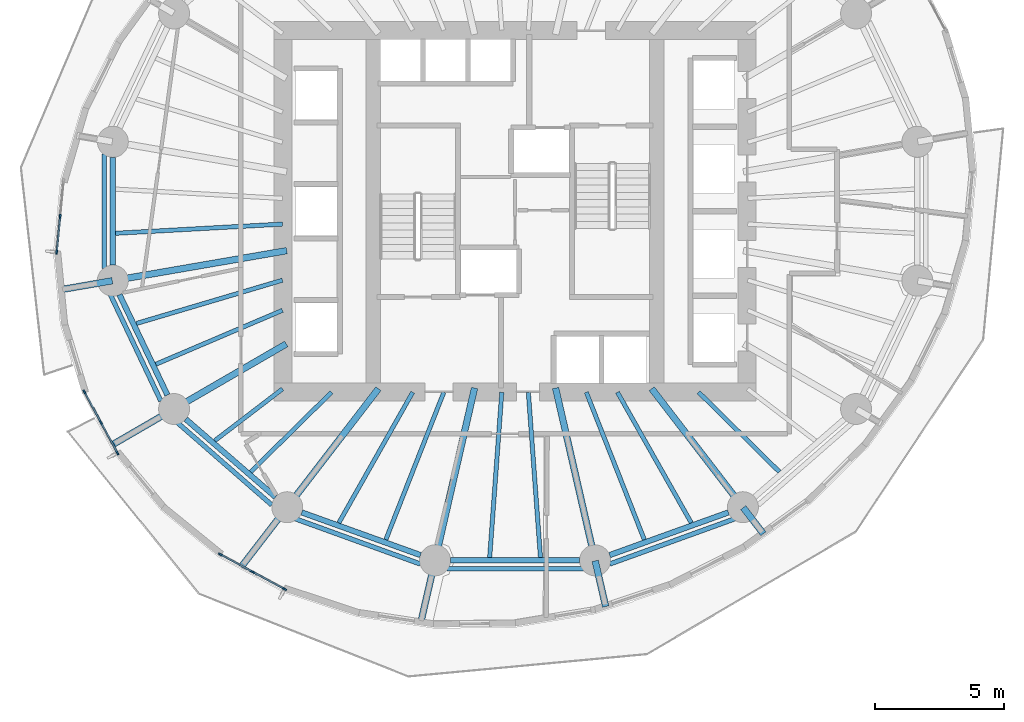
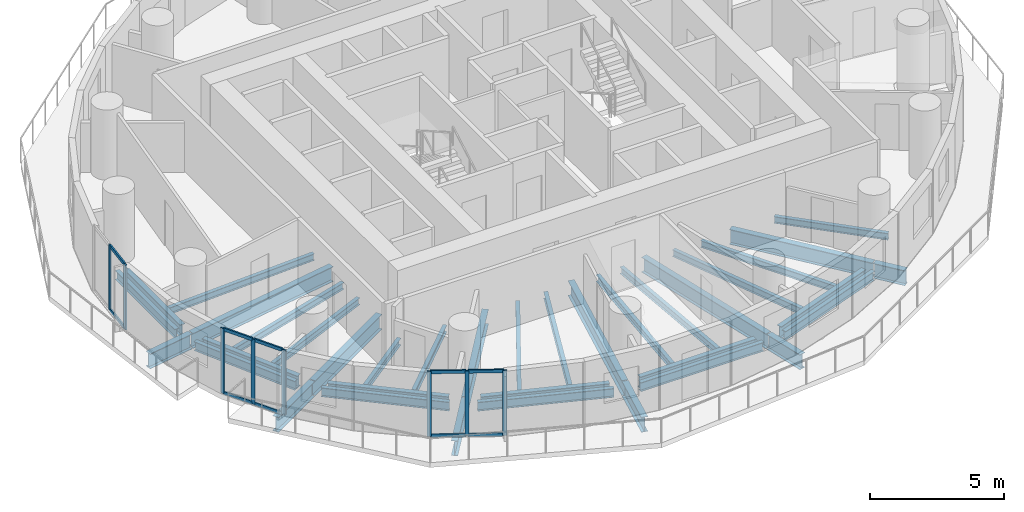
# One storey, part 2 of 14: 36 beams, 18 members, 3 elements without a shape of their own.
"""IFC4 building model written with IfcOpenShell, lengths in metres."""

import ifcopenshell
import ifcopenshell.guid

model = None  # the IFC model being written
_history = None  # IfcOwnerHistory: only IFC2X3 demands one
_inside = {}  # id of a spatial element -> (the spatial element, [elements in it])
_under = {}  # id of a project, library or spatial element -> (it, [spatial elements below it])
_declared = {}  # id of a project -> (the project, [libraries it declares])
_typed = {}  # id of a type object -> (the type object, [elements of that type])
_made_of = {}  # id of a material, layer set ... -> (it, [elements and type objects made of it])


def new_model(schema):
    """Start an empty IFC model of exactly this schema.

    Asked for "IFC4X3", IfcOpenShell would pick the latest addendum, in which some entities
    have other attributes; the version numbers below select the first issue.
    IFC2X3 requires an IfcOwnerHistory on every rooted entity: one is made here for all.
    """
    global model, _history
    if schema == "IFC4X3":
        model = ifcopenshell.file(schema_version=(4, 3, 0, 0))
    else:
        model = ifcopenshell.file(schema=schema)
    _inside.clear()
    _under.clear()
    _declared.clear()
    _typed.clear()
    _made_of.clear()
    _history = None
    if model.schema == "IFC2X3":
        org = make("IfcOrganization", Name="unknown")
        user = make(
            "IfcPersonAndOrganization",
            ThePerson=make("IfcPerson", FamilyName="unknown"),
            TheOrganization=org,
        )
        app = make(
            "IfcApplication",
            ApplicationDeveloper=org,
            Version="unknown",
            ApplicationFullName="unknown",
            ApplicationIdentifier="unknown",
        )
        _history = make(
            "IfcOwnerHistory",
            OwningUser=user,
            OwningApplication=app,
            ChangeAction="ADDED",
            CreationDate=0,
        )
    return model


def make(cls, **values):
    """One entity of the class cls with the attributes given. An attribute that is None is left unset."""
    return model.create_entity(
        cls, **{name: value for name, value in values.items() if value is not None}
    )


def rooted(cls, **values):
    """An entity with a GlobalId (a new one), such as an element, a storey or a relation."""
    return make(cls, GlobalId=ifcopenshell.guid.new(), OwnerHistory=_history, **values)


def si_unit(unit_type, name, prefix=None):
    """IfcSIUnit, for example si_unit("LENGTHUNIT", "METRE", prefix="MILLI")."""
    return make("IfcSIUnit", UnitType=unit_type, Prefix=prefix, Name=name)


def assignment(units):
    """IfcUnitAssignment: the units of a project."""
    return None if units is None else make("IfcUnitAssignment", Units=units)


def point(xyz):
    """IfcCartesianPoint."""
    return None if xyz is None else make("IfcCartesianPoint", Coordinates=xyz)


def direction(xyz):
    """IfcDirection."""
    return None if xyz is None else make("IfcDirection", DirectionRatios=xyz)


def frame(location, z_axis=None, x_axis=None):
    """IfcAxis2Placement3D, a coordinate frame: its origin and axes. An axis left out is left unset."""
    return make(
        "IfcAxis2Placement3D",
        Location=point(location),
        Axis=direction(z_axis),
        RefDirection=direction(x_axis),
    )


def frame_2d(location, x_axis=None):
    """IfcAxis2Placement2D, a coordinate frame in the plane: its origin and x axis."""
    return make(
        "IfcAxis2Placement2D", Location=point(location), RefDirection=direction(x_axis)
    )


def origin():
    """The frame at (0, 0, 0) with its axes left unset."""
    return frame((0.0, 0.0, 0.0))


def origin_2d():
    """The frame at (0, 0) in the plane with its x axis left unset."""
    return frame_2d((0.0, 0.0))


def place(relative_to, where):
    """IfcLocalPlacement: puts the frame where relative to a parent placement (None: the world)."""
    return make(
        "IfcLocalPlacement", PlacementRelTo=relative_to, RelativePlacement=where
    )


def context(
    kind, dimensions, precision=None, world=None, true_north=None, identifier=None
):
    """IfcGeometricRepresentationContext, for example the 3D "Model" context."""
    return make(
        "IfcGeometricRepresentationContext",
        ContextIdentifier=identifier,
        ContextType=kind,
        CoordinateSpaceDimension=dimensions,
        Precision=precision,
        WorldCoordinateSystem=world,
        TrueNorth=true_north,
    )


def subcontext(parent, identifier, kind, view, scale=None):
    """IfcGeometricRepresentationSubContext, for example "Body" below "Model"."""
    return make(
        "IfcGeometricRepresentationSubContext",
        ContextIdentifier=identifier,
        ContextType=kind,
        ParentContext=parent,
        TargetScale=scale,
        TargetView=view,
    )


def project(units=None, contexts=None):
    """IfcProject with its units and contexts."""
    return rooted(
        "IfcProject",
        Name="project",
        RepresentationContexts=contexts,
        UnitsInContext=assignment(units),
    )


def spatial(cls, under=None, at=None, **own):
    """A site, building, storey or space (cls), placed at a placement, below another one or the project."""
    s = rooted(cls, ObjectPlacement=at, **own)
    if under is not None:
        _under.setdefault(under.id(), (under, []))[1].append(s)
    return s


def profile(cls, at=None, kind="AREA", **sizes):
    """A parametric profile (cls). Its sizes go by their IFC names, for example OverallWidth=200.0."""
    return make(cls, ProfileType=kind, Position=at, **sizes)


def rectangle(**sizes):
    """IfcRectangleProfileDef."""
    return profile("IfcRectangleProfileDef", **sizes)


def i_section(**sizes):
    """IfcIShapeProfileDef."""
    return profile("IfcIShapeProfileDef", **sizes)


def extrude(swept, where, along, depth):
    """IfcExtrudedAreaSolid: the profile swept, set in the frame where, extruded along a direction by depth."""
    return make(
        "IfcExtrudedAreaSolid",
        SweptArea=swept,
        Position=where,
        ExtrudedDirection=direction(along),
        Depth=depth,
    )


def shape(context_of_items, identifier, shape_type, items):
    """IfcShapeRepresentation: the items that make up one representation, for example the "Body"."""
    return make(
        "IfcShapeRepresentation",
        ContextOfItems=context_of_items,
        RepresentationIdentifier=identifier,
        RepresentationType=shape_type,
        Items=items,
    )


def material(Name=None, Category=None):
    """IfcMaterial."""
    return make("IfcMaterial", Name=Name, Category=Category)


def material_profile(
    of_material, cross_section, Name=None, Category=None, Priority=None
):
    """IfcMaterialProfile: a cross section and its material."""
    return make(
        "IfcMaterialProfile",
        Name=Name,
        Material=of_material,
        Profile=cross_section,
        Priority=Priority,
        Category=Category,
    )


def profile_set(profiles, Name=None, composite=None):
    """IfcMaterialProfileSet."""
    return make(
        "IfcMaterialProfileSet",
        Name=Name,
        MaterialProfiles=profiles,
        CompositeProfile=composite,
    )


def made_of(thing, what):
    """Note that an element or type object is made of a material, layer set ...; save() writes the relation."""
    if what is not None:
        _made_of.setdefault(what.id(), (what, []))[1].append(thing)
    return thing


def type_object(cls, material=None, **own):
    """A type object (cls), such as IfcWallType, which elements share."""
    return made_of(rooted(cls, **own), material)


def element(
    cls,
    number,
    at=None,
    inside=None,
    cuts=None,
    type_object=None,
    material=None,
    context=None,
    identifier="Body",
    shape_type=None,
    held_by="IfcProductDefinitionShape",
    body=None,
    shapes=None,
    **own,
):
    """One element of the class cls, such as IfcWall. Its Tag is "e" and its number.

    at: its placement. inside: the storey or other place that contains it. cuts: it is an
    opening in that element (IfcRelVoidsElement). A single representation is given by context,
    identifier, shape_type and body (its items); several are given by shapes. held_by: the class
    of the entity that holds the representations. save() writes the other relations.
    """
    e = rooted(cls, Tag="e%d" % number, ObjectPlacement=at, **own)
    if body is not None:
        shapes = [shape(context, identifier, shape_type, body)]
    if shapes is not None:
        e.Representation = make(held_by, Representations=shapes)
    if inside is not None:
        _inside.setdefault(inside.id(), (inside, []))[1].append(e)
    if cuts is not None:
        rooted(
            "IfcRelVoidsElement", RelatingBuildingElement=cuts, RelatedOpeningElement=e
        )
    if type_object is not None:
        _typed.setdefault(type_object.id(), (type_object, []))[1].append(e)
    return made_of(e, material)


def aggregate(whole, parts):
    """IfcRelAggregates: a whole, such as a stair, and the parts it consists of."""
    return rooted("IfcRelAggregates", RelatingObject=whole, RelatedObjects=parts)


def save(model, path):
    """Write the relations noted so far, then the file.

    IfcRelAggregates (storeys below a building ...), IfcRelContainedInSpatialStructure (elements
    in a storey), IfcRelDefinesByType, IfcRelAssociatesMaterial and IfcRelDeclares: one each for
    every whole, place, type object, material and project.
    """
    for whole, parts in _under.values():
        aggregate(whole, parts)
    for where, things in _inside.values():
        rooted(
            "IfcRelContainedInSpatialStructure",
            RelatedElements=things,
            RelatingStructure=where,
        )
    for kind, things in _typed.values():
        rooted("IfcRelDefinesByType", RelatedObjects=things, RelatingType=kind)
    for what, things in _made_of.values():
        rooted("IfcRelAssociatesMaterial", RelatedObjects=things, RelatingMaterial=what)
    for by, libraries in _declared.values():
        rooted("IfcRelDeclares", RelatingContext=by, RelatedDefinitions=libraries)
    model.write(path)


model = new_model("IFC4")

# Units and contexts
model_context = context("Model", 3, precision=1e-05, world=origin(), true_north=direction((0.0, 1.0)))
body_context = subcontext(model_context, "Body", "Model", "MODEL_VIEW")
ifc_project = project(units=[si_unit("LENGTHUNIT", "METRE"), si_unit("AREAUNIT", "SQUARE_METRE"), si_unit("VOLUMEUNIT", "CUBIC_METRE"), si_unit("PLANEANGLEUNIT", "RADIAN"), si_unit("MASSUNIT", "GRAM", prefix="KILO")], contexts=[model_context])

# Site, building, storey
site_placement = place(None, origin())
site = spatial("IfcSite", under=ifc_project, at=site_placement, CompositionType="ELEMENT")
building_placement = place(site_placement, origin())
building = spatial("IfcBuilding", under=site, at=building_placement, Name="Veldorim Arch Residences", CompositionType="ELEMENT")
storey_placement = place(building_placement, frame((0.0, 0.0, 93.280029296875)))
storey = spatial("IfcBuildingStorey", under=building, at=storey_placement, Name="L27", CompositionType="ELEMENT", Elevation=93.280029296875)

# Beams
ifc_material_1 = material(Name="Steel S355", Category="steel")
ifc_material_profile_1 = material_profile(ifc_material_1, i_section(OverallWidth=0.2119140625, OverallDepth=0.54443359375, WebThickness=0.0126953125, FlangeThickness=0.021240234375, at=origin_2d()), Name="UB533x210x122")
ifc_profile_set_1 = profile_set([ifc_material_profile_1], Name="Steel S355")
beam_type_1 = type_object("IfcBeamType", Name="Structural Steel Beam UB533x210x122", PredefinedType="BEAM", material=ifc_profile_set_1)
beam_1_placement = place(storey_placement, frame((16.405517578125, 26.09228515625, -0.51220703125), z_axis=(0.0, -1.0, 0.0), x_axis=(1.0, 0.0, 0.0)))
element("IfcBeam", 1, at=beam_1_placement, inside=storey, type_object=beam_type_1, Name="L27 perimeter ring tie beam 08", PredefinedType="BEAM", context=body_context, shape_type="SweptSolid", body=[
    extrude(i_section(OverallWidth=0.2119140625, OverallDepth=0.54443359375, WebThickness=0.0126953125, FlangeThickness=0.021240234375, at=origin_2d()), origin(), (0.0, 0.0, 1.0), 4.1845703125),
])
beam_2_placement = place(storey_placement, frame((16.663818359375, 20.766357421875, -0.51220703125), z_axis=(0.430720154476, -0.902485539235, 0.0), x_axis=(0.902485539235, 0.430720154476, 0.0)))
element("IfcBeam", 2, at=beam_2_placement, inside=storey, type_object=beam_type_1, Name="L27 perimeter ring tie beam 09", PredefinedType="BEAM", context=body_context, shape_type="SweptSolid", body=[
    extrude(i_section(OverallWidth=0.2119140625, OverallDepth=0.54443359375, WebThickness=0.0126953125, FlangeThickness=0.021240234375, at=origin_2d()), origin(), (0.0, 0.0, 1.0), 4.312255859375),
])
beam_3_placement = place(storey_placement, frame((19.232666015625, 15.939697265625, -0.51220703125), z_axis=(0.755244952556, -0.655442645576, 0.0), x_axis=(0.655442645576, 0.755244952556, 0.0)))
element("IfcBeam", 3, at=beam_3_placement, inside=storey, type_object=beam_type_1, Name="L27 perimeter ring tie beam 10", PredefinedType="BEAM", context=body_context, shape_type="SweptSolid", body=[
    extrude(i_section(OverallWidth=0.2119140625, OverallDepth=0.54443359375, WebThickness=0.0126953125, FlangeThickness=0.021240234375, at=origin_2d()), origin(), (0.0, 0.0, 1.0), 4.608642578125),
])
beam_4_placement = place(storey_placement, frame((23.73095703125, 12.32275390625, -0.51220703125), z_axis=(0.941041944493, -0.338289903343, 0.0), x_axis=(0.338289903343, 0.941041944493, 0.0)))
element("IfcBeam", 4, at=beam_4_placement, inside=storey, type_object=beam_type_1, Name="L27 perimeter ring tie beam 11", PredefinedType="BEAM", context=body_context, shape_type="SweptSolid", body=[
    extrude(i_section(OverallWidth=0.2119140625, OverallDepth=0.54443359375, WebThickness=0.0126953125, FlangeThickness=0.021240234375, at=origin_2d()), origin(), (0.0, 0.0, 1.0), 4.890869140625),
])
beam_5_placement = place(storey_placement, frame((29.498046875, 10.465087890625, -0.51220703125), z_axis=(1.0, 0.0, 0.0), x_axis=(0.0, 1.0, 0.0)))
element("IfcBeam", 5, at=beam_5_placement, inside=storey, type_object=beam_type_1, Name="L27 perimeter ring tie beam 12", PredefinedType="BEAM", context=body_context, shape_type="SweptSolid", body=[
    extrude(i_section(OverallWidth=0.2119140625, OverallDepth=0.54443359375, WebThickness=0.0126953125, FlangeThickness=0.021240234375, at=origin_2d()), origin(), (0.0, 0.0, 1.0), 5.00390625),
])
beam_6_placement = place(storey_placement, frame((35.66650390625, 10.668212890625, -0.51220703125), z_axis=(0.941041944493, 0.338289903343, 0.0), x_axis=(-0.338289903343, 0.941041944493, 0.0)))
element("IfcBeam", 6, at=beam_6_placement, inside=storey, type_object=beam_type_1, Name="L27 perimeter ring tie beam 13", PredefinedType="BEAM", context=body_context, shape_type="SweptSolid", body=[
    extrude(i_section(OverallWidth=0.2119140625, OverallDepth=0.54443359375, WebThickness=0.0126953125, FlangeThickness=0.021240234375, at=origin_2d()), origin(), (0.0, 0.0, 1.0), 4.890869140625),
])
ifc_material_2 = material(Name="Steel S355", Category="steel")
ifc_material_profile_2 = material_profile(ifc_material_2, i_section(OverallWidth=0.25439453125, OverallDepth=0.6875, WebThickness=0.01318359375, FlangeThickness=0.02099609375, at=origin_2d()), Name="UB686x254x152")
ifc_profile_set_2 = profile_set([ifc_material_profile_2], Name="Steel S355")
beam_type_2 = type_object("IfcBeamType", Name="Structural Steel GIRDER UB686x254x152", PredefinedType="USERDEFINED", material=ifc_profile_set_2)
beam_7_placement = place(storey_placement, frame((23.147705078125, 22.4716796875, -0.583740234375), z_axis=(-0.985426622718, -0.17010106184, 0.0), x_axis=(0.17010106184, -0.985426622718, 0.0)))
element("IfcBeam", 7, at=beam_7_placement, inside=storey, type_object=beam_type_2, Name="L27 radial floor girder 09", ObjectType="GIRDER", PredefinedType="USERDEFINED", context=body_context, shape_type="SweptSolid", body=[
    extrude(i_section(OverallWidth=0.25439453125, OverallDepth=0.6875, WebThickness=0.01318359375, FlangeThickness=0.02099609375, at=origin_2d()), origin(), (0.0, 0.0, 1.0), 6.82177734375),
])
beam_8_placement = place(storey_placement, frame((16.3857421875, 21.304443359375, -0.583740234375), z_axis=(-0.985413092061, -0.170179428821, 0.0), x_axis=(0.170179428821, -0.985413092061, 0.0)))
element("IfcBeam", 8, at=beam_8_placement, inside=storey, type_object=beam_type_2, Name="L27 radial edge cantilever girder 09", ObjectType="GIRDER", PredefinedType="USERDEFINED", context=body_context, shape_type="SweptSolid", body=[
    extrude(i_section(OverallWidth=0.25439453125, OverallDepth=0.6875, WebThickness=0.01318359375, FlangeThickness=0.02099609375, at=origin_2d()), origin(), (0.0, 0.0, 1.0), 2.0400390625),
])
beam_9_placement = place(storey_placement, frame((23.1298828125, 18.85595703125, -0.583740234375), z_axis=(-0.865048957682, -0.501687453314, 0.0), x_axis=(0.501687453314, -0.865048957682, 0.0)))
element("IfcBeam", 9, at=beam_9_placement, inside=storey, type_object=beam_type_2, Name="L27 radial floor girder 10", ObjectType="GIRDER", PredefinedType="USERDEFINED", context=body_context, shape_type="SweptSolid", body=[
    extrude(i_section(OverallWidth=0.25439453125, OverallDepth=0.6875, WebThickness=0.01318359375, FlangeThickness=0.02099609375, at=origin_2d()), origin(), (0.0, 0.0, 1.0), 5.009033203125),
])
beam_10_placement = place(storey_placement, frame((18.76220703125, 16.322998046875, -0.583740234375), z_axis=(-0.865074923998, -0.50164267748, 0.0), x_axis=(0.50164267748, -0.865074923998, 0.0)))
element("IfcBeam", 10, at=beam_10_placement, inside=storey, type_object=beam_type_2, Name="L27 radial edge cantilever girder 10", ObjectType="GIRDER", PredefinedType="USERDEFINED", context=body_context, shape_type="SweptSolid", body=[
    extrude(i_section(OverallWidth=0.25439453125, OverallDepth=0.6875, WebThickness=0.01318359375, FlangeThickness=0.02099609375, at=origin_2d()), origin(), (0.0, 0.0, 1.0), 2.713134765625),
])
beam_11_placement = place(storey_placement, frame((26.702392578125, 17.118896484375, -0.583740234375), z_axis=(-0.609994628196, -0.792405548676, 0.0), x_axis=(0.792405548676, -0.609994628196, 0.0)))
element("IfcBeam", 11, at=beam_11_placement, inside=storey, type_object=beam_type_2, Name="L27 radial floor girder 11", ObjectType="GIRDER", PredefinedType="USERDEFINED", context=body_context, shape_type="SweptSolid", body=[
    extrude(i_section(OverallWidth=0.25439453125, OverallDepth=0.6875, WebThickness=0.01318359375, FlangeThickness=0.02099609375, at=origin_2d()), origin(), (0.0, 0.0, 1.0), 5.776611328125),
])
beam_12_placement = place(storey_placement, frame((23.154296875, 12.510009765625, -0.583740234375), z_axis=(-0.610012928727, -0.792391460571, 0.0), x_axis=(0.792391460571, -0.610012928727, 0.0)))
element("IfcBeam", 12, at=beam_12_placement, inside=storey, type_object=beam_type_2, Name="L27 radial edge cantilever girder 11", ObjectType="GIRDER", PredefinedType="USERDEFINED", context=body_context, shape_type="SweptSolid", body=[
    extrude(i_section(OverallWidth=0.25439453125, OverallDepth=0.6875, WebThickness=0.01318359375, FlangeThickness=0.02099609375, at=origin_2d()), origin(), (0.0, 0.0, 1.0), 2.85009765625),
])
beam_13_placement = place(storey_placement, frame((30.42919921875, 17.146240234375, -0.583740234375), z_axis=(-0.223374742148, -0.97473264261, 0.0), x_axis=(0.97473264261, -0.223374742148, 0.0)))
element("IfcBeam", 13, at=beam_13_placement, inside=storey, type_object=beam_type_2, Name="L27 radial floor girder 12", ObjectType="GIRDER", PredefinedType="USERDEFINED", context=body_context, shape_type="SweptSolid", body=[
    extrude(i_section(OverallWidth=0.25439453125, OverallDepth=0.6875, WebThickness=0.01318359375, FlangeThickness=0.02099609375, at=origin_2d()), origin(), (0.0, 0.0, 1.0), 6.834228515625),
])
beam_14_placement = place(storey_placement, frame((28.8935546875, 10.44580078125, -0.583740234375), z_axis=(-0.223409552983, -0.974724664526, 0.0), x_axis=(0.974724664526, -0.223409552983, 0.0)))
element("IfcBeam", 14, at=beam_14_placement, inside=storey, type_object=beam_type_2, Name="L27 radial edge cantilever girder 12", ObjectType="GIRDER", PredefinedType="USERDEFINED", context=body_context, shape_type="SweptSolid", body=[
    extrude(i_section(OverallWidth=0.25439453125, OverallDepth=0.6875, WebThickness=0.01318359375, FlangeThickness=0.02099609375, at=origin_2d()), origin(), (0.0, 0.0, 1.0), 2.4599609375),
])
beam_15_placement = place(storey_placement, frame((33.57080078125, 17.146240234375, -0.583740234375), z_axis=(0.223374742148, -0.97473264261, 0.0), x_axis=(0.97473264261, 0.223374742148, 0.0)))
element("IfcBeam", 15, at=beam_15_placement, inside=storey, type_object=beam_type_2, Name="L27 radial floor girder 13", ObjectType="GIRDER", PredefinedType="USERDEFINED", context=body_context, shape_type="SweptSolid", body=[
    extrude(i_section(OverallWidth=0.25439453125, OverallDepth=0.6875, WebThickness=0.01318359375, FlangeThickness=0.02099609375, at=origin_2d()), origin(), (0.0, 0.0, 1.0), 6.834228515625),
])
beam_16_placement = place(storey_placement, frame((35.1064453125, 10.44580078125, -0.583740234375), z_axis=(0.223360224224, -0.974735969499, 0.0), x_axis=(0.974735969499, 0.223360224224, 0.0)))
element("IfcBeam", 16, at=beam_16_placement, inside=storey, type_object=beam_type_2, Name="L27 radial edge cantilever girder 13", ObjectType="GIRDER", PredefinedType="USERDEFINED", context=body_context, shape_type="SweptSolid", body=[
    extrude(i_section(OverallWidth=0.25439453125, OverallDepth=0.6875, WebThickness=0.01318359375, FlangeThickness=0.02099609375, at=origin_2d()), origin(), (0.0, 0.0, 1.0), 1.81982421875),
])
beam_17_placement = place(storey_placement, frame((37.297607421875, 17.118896484375, -0.583740234375), z_axis=(0.609994628196, -0.792405548676, 0.0), x_axis=(0.792405548676, 0.609994628196, 0.0)))
element("IfcBeam", 17, at=beam_17_placement, inside=storey, type_object=beam_type_2, Name="L27 radial floor girder 14", ObjectType="GIRDER", PredefinedType="USERDEFINED", context=body_context, shape_type="SweptSolid", body=[
    extrude(i_section(OverallWidth=0.25439453125, OverallDepth=0.6875, WebThickness=0.01318359375, FlangeThickness=0.02099609375, at=origin_2d()), origin(), (0.0, 0.0, 1.0), 5.776611328125),
])
beam_18_placement = place(storey_placement, frame((40.845703125, 12.510009765625, -0.583740234375), z_axis=(0.609941382305, -0.79244653457, 0.0), x_axis=(0.79244653457, 0.609941382305, 0.0)))
element("IfcBeam", 18, at=beam_18_placement, inside=storey, type_object=beam_type_2, Name="L27 radial edge cantilever girder 14", ObjectType="GIRDER", PredefinedType="USERDEFINED", context=body_context, shape_type="SweptSolid", body=[
    extrude(i_section(OverallWidth=0.25439453125, OverallDepth=0.6875, WebThickness=0.01318359375, FlangeThickness=0.02099609375, at=origin_2d()), origin(), (0.0, 0.0, 1.0), 1.27880859375),
])
ifc_material_3 = material(Name="Steel S355", Category="steel")
ifc_material_profile_3 = material_profile(ifc_material_3, i_section(OverallWidth=0.165771484375, OverallDepth=0.306640625, WebThickness=0.006591796875, FlangeThickness=0.01171875, at=origin_2d()), Name="UB305x165x46")
ifc_profile_set_3 = profile_set([ifc_material_profile_3], Name="Steel S355")
beam_type_3 = type_object("IfcBeamType", Name="Structural Steel Joist UB305x165x46", PredefinedType="JOIST", material=ifc_profile_set_3)
beam_19_placement = place(storey_placement, frame((22.97998046875, 23.501708984375, -0.393310546875), z_axis=(-0.99847713097, -0.055167190702, 0.0), x_axis=(0.055167190702, -0.99847713097, 0.0)))
element("IfcBeam", 19, at=beam_19_placement, inside=storey, type_object=beam_type_3, Name="L27 secondary radial floor joist 08-2", PredefinedType="JOIST", context=body_context, shape_type="SweptSolid", body=[
    extrude(i_section(OverallWidth=0.165771484375, OverallDepth=0.306640625, WebThickness=0.006591796875, FlangeThickness=0.01171875, at=origin_2d()), origin(), (0.0, 0.0, 1.0), 6.474365234375),
])
beam_20_placement = place(storey_placement, frame((22.980712890625, 21.326416015625, -0.393310546875), z_axis=(-0.958753061488, -0.284240333324, 0.0), x_axis=(0.284240333324, -0.958753061488, 0.0)))
element("IfcBeam", 20, at=beam_20_placement, inside=storey, type_object=beam_type_3, Name="L27 secondary radial floor joist 09-1", PredefinedType="JOIST", context=body_context, shape_type="SweptSolid", body=[
    extrude(i_section(OverallWidth=0.165771484375, OverallDepth=0.306640625, WebThickness=0.006591796875, FlangeThickness=0.01171875, at=origin_2d()), origin(), (0.0, 0.0, 1.0), 5.906005859375),
])
beam_21_placement = place(storey_placement, frame((22.981689453125, 20.158447265625, -0.393310546875), z_axis=(-0.919997395122, -0.391924473552, 0.0), x_axis=(0.391924473552, -0.919997395122, 0.0)))
element("IfcBeam", 21, at=beam_21_placement, inside=storey, type_object=beam_type_3, Name="L27 secondary radial floor joist 09-2", PredefinedType="JOIST", context=body_context, shape_type="SweptSolid", body=[
    extrude(i_section(OverallWidth=0.165771484375, OverallDepth=0.306640625, WebThickness=0.006591796875, FlangeThickness=0.01171875, at=origin_2d()), origin(), (0.0, 0.0, 1.0), 5.334716796875),
])
beam_22_placement = place(storey_placement, frame((22.984130859375, 17.111572265625, -0.393310546875), z_axis=(-0.794594763594, -0.60714014994, 0.0), x_axis=(0.60714014994, -0.794594763594, 0.0)))
element("IfcBeam", 22, at=beam_22_placement, inside=storey, type_object=beam_type_3, Name="L27 secondary radial floor joist 10-1", PredefinedType="JOIST", context=body_context, shape_type="SweptSolid", body=[
    extrude(i_section(OverallWidth=0.165771484375, OverallDepth=0.306640625, WebThickness=0.006591796875, FlangeThickness=0.01171875, at=origin_2d()), origin(), (0.0, 0.0, 1.0), 3.30419921875),
])
beam_23_placement = place(storey_placement, frame((24.885986328125, 16.986083984375, -0.393310546875), z_axis=(-0.712111629941, -0.702066255066, 0.0), x_axis=(0.702066255066, -0.712111629941, 0.0)))
element("IfcBeam", 23, at=beam_23_placement, inside=storey, type_object=beam_type_3, Name="L27 secondary radial floor joist 10-2", PredefinedType="JOIST", context=body_context, shape_type="SweptSolid", body=[
    extrude(i_section(OverallWidth=0.165771484375, OverallDepth=0.306640625, WebThickness=0.006591796875, FlangeThickness=0.01171875, at=origin_2d()), origin(), (0.0, 0.0, 1.0), 4.39892578125),
])
beam_24_placement = place(storey_placement, frame((28.03173828125, 16.982666015625, -0.393310546875), z_axis=(-0.492227411199, -0.870466642476, 0.0), x_axis=(0.870466642476, -0.492227411199, 0.0)))
element("IfcBeam", 24, at=beam_24_placement, inside=storey, type_object=beam_type_3, Name="L27 secondary radial floor joist 11-1", PredefinedType="JOIST", context=body_context, shape_type="SweptSolid", body=[
    extrude(i_section(OverallWidth=0.165771484375, OverallDepth=0.306640625, WebThickness=0.006591796875, FlangeThickness=0.01171875, at=origin_2d()), origin(), (0.0, 0.0, 1.0), 5.81494140625),
])
beam_25_placement = place(storey_placement, frame((29.238037109375, 16.9814453125, -0.393310546875), z_axis=(-0.366194870364, -0.930538186707, 0.0), x_axis=(0.930538186707, -0.366194870364, 0.0)))
element("IfcBeam", 25, at=beam_25_placement, inside=storey, type_object=beam_type_3, Name="L27 secondary radial floor joist 11-2", PredefinedType="JOIST", context=body_context, shape_type="SweptSolid", body=[
    extrude(i_section(OverallWidth=0.165771484375, OverallDepth=0.306640625, WebThickness=0.006591796875, FlangeThickness=0.01171875, at=origin_2d()), origin(), (0.0, 0.0, 1.0), 6.1396484375),
])
for number, where, z_axis, x_axis, name in (
    (26, (31.485107421875, 16.97998046875, -0.393310546875), (-0.073143494169, -0.997321427254, 0.0), (0.997321427254, -0.073143494169, 0.0), "L27 secondary radial floor joist 12-1"),
    (27, (32.514892578125, 16.97998046875, -0.393310546875), (0.073143494169, -0.997321427254, 0.0), (0.997321427254, 0.073143494169, 0.0), "L27 secondary radial floor joist 12-2"),
):
    element("IfcBeam", number, at=place(storey_placement, frame(where, z_axis=z_axis, x_axis=x_axis)), inside=storey, type_object=beam_type_3, Name=name, PredefinedType="JOIST", context=body_context, shape_type="SweptSolid", body=[
        extrude(i_section(OverallWidth=0.165771484375, OverallDepth=0.306640625, WebThickness=0.006591796875, FlangeThickness=0.01171875, at=origin_2d()), origin(), (0.0, 0.0, 1.0), 6.421875),
    ])
beam_26_placement = place(storey_placement, frame((34.761962890625, 16.9814453125, -0.393310546875), z_axis=(0.366194870364, -0.930538186707, 0.0), x_axis=(0.930538186707, 0.366194870364, 0.0)))
element("IfcBeam", 28, at=beam_26_placement, inside=storey, type_object=beam_type_3, Name="L27 secondary radial floor joist 13-1", PredefinedType="JOIST", context=body_context, shape_type="SweptSolid", body=[
    extrude(i_section(OverallWidth=0.165771484375, OverallDepth=0.306640625, WebThickness=0.006591796875, FlangeThickness=0.01171875, at=origin_2d()), origin(), (0.0, 0.0, 1.0), 6.1396484375),
])
beam_27_placement = place(storey_placement, frame((35.96826171875, 16.982666015625, -0.393310546875), z_axis=(0.492227411199, -0.870466642476, 0.0), x_axis=(0.870466642476, 0.492227411199, 0.0)))
element("IfcBeam", 29, at=beam_27_placement, inside=storey, type_object=beam_type_3, Name="L27 secondary radial floor joist 13-2", PredefinedType="JOIST", context=body_context, shape_type="SweptSolid", body=[
    extrude(i_section(OverallWidth=0.165771484375, OverallDepth=0.306640625, WebThickness=0.006591796875, FlangeThickness=0.01171875, at=origin_2d()), origin(), (0.0, 0.0, 1.0), 5.81494140625),
])
beam_28_placement = place(storey_placement, frame((39.114013671875, 16.986083984375, -0.393310546875), z_axis=(0.712111629941, -0.702066255066, 0.0), x_axis=(0.702066255066, 0.712111629941, 0.0)))
element("IfcBeam", 30, at=beam_28_placement, inside=storey, type_object=beam_type_3, Name="L27 secondary radial floor joist 14-1", PredefinedType="JOIST", context=body_context, shape_type="SweptSolid", body=[
    extrude(i_section(OverallWidth=0.165771484375, OverallDepth=0.306640625, WebThickness=0.006591796875, FlangeThickness=0.01171875, at=origin_2d()), origin(), (0.0, 0.0, 1.0), 4.39892578125),
])
ifc_material_4 = material(Name="Steel S355", Category="steel")
ifc_material_profile_4 = material_profile(ifc_material_4, i_section(OverallWidth=0.1787109375, OverallDepth=0.409423828125, WebThickness=0.0087890625, FlangeThickness=0.014404296875, at=origin_2d()), Name="UB406x178x67")
ifc_profile_set_4 = profile_set([ifc_material_profile_4], Name="Steel S355")
beam_type_4 = type_object("IfcBeamType", Name="Structural Steel Spandrel UB406x178x67", PredefinedType="SPANDREL", material=ifc_profile_set_4)
beam_29_placement = place(storey_placement, frame((16.080322265625, 26.22021484375, -0.46484375), z_axis=(0.0, -1.0, 0.0), x_axis=(1.0, 0.0, 0.0)))
element("IfcBeam", 31, at=beam_29_placement, inside=storey, type_object=beam_type_4, Name="L27 perimeter chord spandrel beam 08", PredefinedType="SPANDREL", context=body_context, shape_type="SweptSolid", body=[
    extrude(i_section(OverallWidth=0.1787109375, OverallDepth=0.409423828125, WebThickness=0.0087890625, FlangeThickness=0.014404296875, at=origin_2d()), origin(), (0.0, 0.0, 1.0), 4.4404296875),
])
beam_30_placement = place(storey_placement, frame((16.306884765625, 20.774658203125, -0.46484375), z_axis=(0.428857472204, -0.903372165021, 0.0), x_axis=(0.903372165021, 0.428857472204, 0.0)))
element("IfcBeam", 32, at=beam_30_placement, inside=storey, type_object=beam_type_4, Name="L27 perimeter chord spandrel beam 09", PredefinedType="SPANDREL", context=body_context, shape_type="SweptSolid", body=[
    extrude(i_section(OverallWidth=0.1787109375, OverallDepth=0.409423828125, WebThickness=0.0087890625, FlangeThickness=0.014404296875, at=origin_2d()), origin(), (0.0, 0.0, 1.0), 4.572021484375),
])
beam_31_placement = place(storey_placement, frame((18.891845703125, 15.8203125, -0.46484375), z_axis=(0.753323239074, -0.65765043714, 0.0), x_axis=(0.65765043714, 0.753323239074, 0.0)))
element("IfcBeam", 33, at=beam_31_placement, inside=storey, type_object=beam_type_4, Name="L27 perimeter chord spandrel beam 10", PredefinedType="SPANDREL", context=body_context, shape_type="SweptSolid", body=[
    extrude(i_section(OverallWidth=0.1787109375, OverallDepth=0.409423828125, WebThickness=0.0087890625, FlangeThickness=0.014404296875, at=origin_2d()), origin(), (0.0, 0.0, 1.0), 4.879150390625),
])
beam_32_placement = place(storey_placement, frame((23.461669921875, 12.08447265625, -0.46484375), z_axis=(0.940307501418, -0.340326024244, 0.0), x_axis=(0.340326024244, 0.940307501418, 0.0)))
element("IfcBeam", 34, at=beam_32_placement, inside=storey, type_object=beam_type_4, Name="L27 perimeter chord spandrel beam 11", PredefinedType="SPANDREL", context=body_context, shape_type="SweptSolid", body=[
    extrude(i_section(OverallWidth=0.1787109375, OverallDepth=0.409423828125, WebThickness=0.0087890625, FlangeThickness=0.014404296875, at=origin_2d()), origin(), (0.0, 0.0, 1.0), 5.175048828125),
])
beam_33_placement = place(storey_placement, frame((29.352294921875, 10.1435546875, -0.46484375), z_axis=(1.0, 0.0, 0.0), x_axis=(0.0, 1.0, 0.0)))
element("IfcBeam", 35, at=beam_33_placement, inside=storey, type_object=beam_type_4, Name="L27 perimeter chord spandrel beam 12", PredefinedType="SPANDREL", context=body_context, shape_type="SweptSolid", body=[
    extrude(i_section(OverallWidth=0.1787109375, OverallDepth=0.409423828125, WebThickness=0.0087890625, FlangeThickness=0.014404296875, at=origin_2d()), origin(), (0.0, 0.0, 1.0), 5.29541015625),
])
beam_34_placement = place(storey_placement, frame((35.672119140625, 10.3232421875, -0.46484375), z_axis=(0.940307501418, 0.340326024244, 0.0), x_axis=(-0.340326024244, 0.940307501418, 0.0)))
element("IfcBeam", 36, at=beam_34_placement, inside=storey, type_object=beam_type_4, Name="L27 perimeter chord spandrel beam 13", PredefinedType="SPANDREL", context=body_context, shape_type="SweptSolid", body=[
    extrude(i_section(OverallWidth=0.1787109375, OverallDepth=0.409423828125, WebThickness=0.0087890625, FlangeThickness=0.014404296875, at=origin_2d()), origin(), (0.0, 0.0, 1.0), 5.175048828125),
])

# Curtain wall, members
ifc_material_5 = material(Name="Aluminium", Category="aluminium")
curtain_wall_type = type_object("IfcCurtainWallType", Name="Zone 2 Solar-Control Unitised Curtain Wall", PredefinedType="NOTDEFINED", material=ifc_material_5)
curtain_wall_1_placement = place(storey_placement, origin())
curtain_wall_1 = element("IfcCurtainWall", 37, at=curtain_wall_1_placement, inside=storey, type_object=curtain_wall_type, Name="L27 unitised curtain wall bay 16", PredefinedType="NOTDEFINED")
ifc_material_6 = material(Name="Aluminium", Category="aluminium")
ifc_material_profile_5 = material_profile(ifc_material_6, rectangle(XDim=0.06494140625, YDim=0.1650390625, at=origin_2d()), Name="ALU_MUL_65x165")
ifc_profile_set_5 = profile_set([ifc_material_profile_5], Name="Aluminium")
member_type_1 = type_object("IfcMemberType", Name="Zone 2 Solar-Control Unitised Curtain Wall Mullion 65x165", PredefinedType="MULLION", material=ifc_profile_set_5)
member_1_placement = place(storey_placement, frame((14.229248046875, 22.415283203125, 0.0), z_axis=(0.0, 0.0, 1.0), x_axis=(-0.995292751709, 0.096914077387, 0.0)))
member_1 = element("IfcMember", 38, at=member_1_placement, type_object=member_type_1, Name="CW-Z2 mullion 1", PredefinedType="MULLION", context=body_context, shape_type="SweptSolid", body=[
    extrude(rectangle(XDim=0.06494140625, YDim=0.1650390625, at=origin_2d()), origin(), (0.0, 0.0, 1.0), 2.9599609375),
])
member_2_placement = place(storey_placement, frame((14.36328125, 23.79296875, 0.0), z_axis=(0.0, 0.0, 1.0), x_axis=(-0.995292751709, 0.096914077387, 0.0)))
member_2 = element("IfcMember", 39, at=member_2_placement, type_object=member_type_1, Name="CW-Z2 mullion 2", PredefinedType="MULLION", context=body_context, shape_type="SweptSolid", body=[
    extrude(rectangle(XDim=0.06494140625, YDim=0.1650390625, at=origin_2d()), origin(), (0.0, 0.0, 1.0), 2.9599609375),
])

curtain_wall_2_placement = place(storey_placement, origin())
curtain_wall_2 = element("IfcCurtainWall", 40, at=curtain_wall_2_placement, inside=storey, type_object=curtain_wall_type, Name="L27 unitised curtain wall bay 19", PredefinedType="NOTDEFINED")
member_3_placement = place(storey_placement, frame((16.583984375, 14.62890625, 0.0), z_axis=(0.0, 0.0, 1.0), x_axis=(-0.87936599291, -0.4761464591, 0.0)))
member_3 = element("IfcMember", 41, at=member_3_placement, type_object=member_type_1, Name="CW-Z2 mullion 1", PredefinedType="MULLION", context=body_context, shape_type="SweptSolid", body=[
    extrude(rectangle(XDim=0.06494140625, YDim=0.1650390625, at=origin_2d()), origin(), (0.0, 0.0, 1.0), 2.9599609375),
])
member_4_placement = place(storey_placement, frame((15.943115234375, 15.812744140625, 0.0), z_axis=(0.0, 0.0, 1.0), x_axis=(-0.87936599291, -0.4761464591, 0.0)))
member_4 = element("IfcMember", 42, at=member_4_placement, type_object=member_type_1, Name="CW-Z2 mullion 2", PredefinedType="MULLION", context=body_context, shape_type="SweptSolid", body=[
    extrude(rectangle(XDim=0.06494140625, YDim=0.1650390625, at=origin_2d()), origin(), (0.0, 0.0, 1.0), 2.9599609375),
])
member_5_placement = place(storey_placement, frame((15.302001953125, 16.996826171875, 0.0), z_axis=(0.0, 0.0, 1.0), x_axis=(-0.87936599291, -0.4761464591, 0.0)))
member_5 = element("IfcMember", 43, at=member_5_placement, type_object=member_type_1, Name="CW-Z2 mullion 3", PredefinedType="MULLION", context=body_context, shape_type="SweptSolid", body=[
    extrude(rectangle(XDim=0.06494140625, YDim=0.1650390625, at=origin_2d()), origin(), (0.0, 0.0, 1.0), 2.9599609375),
])

curtain_wall_3_placement = place(storey_placement, origin())
curtain_wall_3 = element("IfcCurtainWall", 44, at=curtain_wall_3_placement, inside=storey, type_object=curtain_wall_type, Name="L27 unitised curtain wall bay 22", PredefinedType="NOTDEFINED")
member_6_placement = place(storey_placement, frame((23.06640625, 9.34814453125, 0.0), z_axis=(0.0, 0.0, 1.0), x_axis=(-0.476096408895, -0.879393091534, 0.0)))
member_6 = element("IfcMember", 45, at=member_6_placement, type_object=member_type_1, Name="CW-Z2 mullion 1", PredefinedType="MULLION", context=body_context, shape_type="SweptSolid", body=[
    extrude(rectangle(XDim=0.06494140625, YDim=0.1650390625, at=origin_2d()), origin(), (0.0, 0.0, 1.0), 2.9599609375),
])
member_7_placement = place(storey_placement, frame((21.820556640625, 10.0224609375, 0.0), z_axis=(0.0, 0.0, 1.0), x_axis=(-0.476096408895, -0.879393091534, 0.0)))
member_7 = element("IfcMember", 46, at=member_7_placement, type_object=member_type_1, Name="CW-Z2 mullion 2", PredefinedType="MULLION", context=body_context, shape_type="SweptSolid", body=[
    extrude(rectangle(XDim=0.06494140625, YDim=0.1650390625, at=origin_2d()), origin(), (0.0, 0.0, 1.0), 2.9599609375),
])
member_8_placement = place(storey_placement, frame((20.57470703125, 10.697021484375, 0.0), z_axis=(0.0, 0.0, 1.0), x_axis=(-0.476096408895, -0.879393091534, 0.0)))
member_8 = element("IfcMember", 47, at=member_8_placement, type_object=member_type_1, Name="CW-Z2 mullion 3", PredefinedType="MULLION", context=body_context, shape_type="SweptSolid", body=[
    extrude(rectangle(XDim=0.06494140625, YDim=0.1650390625, at=origin_2d()), origin(), (0.0, 0.0, 1.0), 2.9599609375),
])

# Member
ifc_material_7 = material(Name="Aluminium", Category="aluminium")
ifc_material_profile_6 = material_profile(ifc_material_7, rectangle(XDim=0.06494140625, YDim=0.14501953125, at=origin_2d()), Name="ALU_TRN_65x145")
ifc_profile_set_6 = profile_set([ifc_material_profile_6], Name="Aluminium")
member_type_2 = type_object("IfcMemberType", Name="Zone 2 Solar-Control Unitised Curtain Wall Transom 65x145", PredefinedType="USERDEFINED", material=ifc_profile_set_6)
member_9_placement = place(storey_placement, frame((14.232177734375, 22.447509765625, 0.032470703125), z_axis=(0.096974768366, 0.995286840213, 0.0), x_axis=(-0.995286840213, 0.096974768366, 0.0)))
member_9 = element("IfcMember", 48, at=member_9_placement, type_object=member_type_2, Name="CW-Z2 transom 1.1", ObjectType="TRANSOM", PredefinedType="USERDEFINED", context=body_context, shape_type="SweptSolid", body=[
    extrude(rectangle(XDim=0.06494140625, YDim=0.14501953125, at=origin_2d()), origin(), (0.0, 0.0, 1.0), 1.319091796875),
])

member_10_placement = place(storey_placement, frame((14.232177734375, 22.447509765625, 2.927490234375), z_axis=(0.096974768366, 0.995286840213, 0.0), x_axis=(-0.995286840213, 0.096974768366, 0.0)))
member_10 = element("IfcMember", 49, at=member_10_placement, type_object=member_type_2, Name="CW-Z2 transom 1.2", ObjectType="TRANSOM", PredefinedType="USERDEFINED", context=body_context, shape_type="SweptSolid", body=[
    extrude(rectangle(XDim=0.06494140625, YDim=0.14501953125, at=origin_2d()), origin(), (0.0, 0.0, 1.0), 1.319091796875),
])

aggregate(curtain_wall_1, [member_1, member_2, member_9, member_10])

member_11_placement = place(storey_placement, frame((16.568603515625, 14.657470703125, 0.032470703125), z_axis=(-0.476166516797, 0.879355132061, 0.0), x_axis=(-0.879355132061, -0.476166516797, 0.0)))
member_11 = element("IfcMember", 50, at=member_11_placement, type_object=member_type_2, Name="CW-Z2 transom 1.1", ObjectType="TRANSOM", PredefinedType="USERDEFINED", context=body_context, shape_type="SweptSolid", body=[
    extrude(rectangle(XDim=0.06494140625, YDim=0.14501953125, at=origin_2d()), origin(), (0.0, 0.0, 1.0), 1.28125),
])

member_12_placement = place(storey_placement, frame((16.568603515625, 14.657470703125, 2.927490234375), z_axis=(-0.476166516797, 0.879355132061, 0.0), x_axis=(-0.879355132061, -0.476166516797, 0.0)))
member_12 = element("IfcMember", 51, at=member_12_placement, type_object=member_type_2, Name="CW-Z2 transom 1.2", ObjectType="TRANSOM", PredefinedType="USERDEFINED", context=body_context, shape_type="SweptSolid", body=[
    extrude(rectangle(XDim=0.06494140625, YDim=0.14501953125, at=origin_2d()), origin(), (0.0, 0.0, 1.0), 1.28125),
])

member_13_placement = place(storey_placement, frame((15.927490234375, 15.84130859375, 0.032470703125), z_axis=(-0.476086744214, 0.879398323846, 0.0), x_axis=(-0.879398323846, -0.476086744214, 0.0)))
member_13 = element("IfcMember", 52, at=member_13_placement, type_object=member_type_2, Name="CW-Z2 transom 2.1", ObjectType="TRANSOM", PredefinedType="USERDEFINED", context=body_context, shape_type="SweptSolid", body=[
    extrude(rectangle(XDim=0.06494140625, YDim=0.14501953125, at=origin_2d()), origin(), (0.0, 0.0, 1.0), 1.281494140625),
])

member_14_placement = place(storey_placement, frame((15.927490234375, 15.84130859375, 2.927490234375), z_axis=(-0.476086744214, 0.879398323846, 0.0), x_axis=(-0.879398323846, -0.476086744214, 0.0)))
member_14 = element("IfcMember", 53, at=member_14_placement, type_object=member_type_2, Name="CW-Z2 transom 2.2", ObjectType="TRANSOM", PredefinedType="USERDEFINED", context=body_context, shape_type="SweptSolid", body=[
    extrude(rectangle(XDim=0.06494140625, YDim=0.14501953125, at=origin_2d()), origin(), (0.0, 0.0, 1.0), 1.281494140625),
])

aggregate(curtain_wall_2, [member_3, member_4, member_5, member_11, member_12, member_13, member_14])

member_15_placement = place(storey_placement, frame((23.037841796875, 9.363525390625, 0.032470703125), z_axis=(-0.879395948535, 0.476091131718, 0.0), x_axis=(-0.476091131718, -0.879395948535, 0.0)))
member_15 = element("IfcMember", 54, at=member_15_placement, type_object=member_type_2, Name="CW-Z2 transom 1.1", ObjectType="TRANSOM", PredefinedType="USERDEFINED", context=body_context, shape_type="SweptSolid", body=[
    extrude(rectangle(XDim=0.06494140625, YDim=0.14501953125, at=origin_2d()), origin(), (0.0, 0.0, 1.0), 1.351806640625),
])

member_16_placement = place(storey_placement, frame((23.037841796875, 9.363525390625, 2.927490234375), z_axis=(-0.879395948535, 0.476091131718, 0.0), x_axis=(-0.476091131718, -0.879395948535, 0.0)))
member_16 = element("IfcMember", 55, at=member_16_placement, type_object=member_type_2, Name="CW-Z2 transom 1.2", ObjectType="TRANSOM", PredefinedType="USERDEFINED", context=body_context, shape_type="SweptSolid", body=[
    extrude(rectangle(XDim=0.06494140625, YDim=0.14501953125, at=origin_2d()), origin(), (0.0, 0.0, 1.0), 1.351806640625),
])

member_17_placement = place(storey_placement, frame((21.7919921875, 10.0380859375, 0.032470703125), z_axis=(-0.879395948535, 0.476091131718, 0.0), x_axis=(-0.476091131718, -0.879395948535, 0.0)))
member_17 = element("IfcMember", 56, at=member_17_placement, type_object=member_type_2, Name="CW-Z2 transom 2.1", ObjectType="TRANSOM", PredefinedType="USERDEFINED", context=body_context, shape_type="SweptSolid", body=[
    extrude(rectangle(XDim=0.06494140625, YDim=0.14501953125, at=origin_2d()), origin(), (0.0, 0.0, 1.0), 1.351806640625),
])

member_18_placement = place(storey_placement, frame((21.7919921875, 10.0380859375, 2.927490234375), z_axis=(-0.879395948535, 0.476091131718, 0.0), x_axis=(-0.476091131718, -0.879395948535, 0.0)))
member_18 = element("IfcMember", 57, at=member_18_placement, type_object=member_type_2, Name="CW-Z2 transom 2.2", ObjectType="TRANSOM", PredefinedType="USERDEFINED", context=body_context, shape_type="SweptSolid", body=[
    extrude(rectangle(XDim=0.06494140625, YDim=0.14501953125, at=origin_2d()), origin(), (0.0, 0.0, 1.0), 1.351806640625),
])

aggregate(curtain_wall_3, [member_6, member_7, member_8, member_15, member_16, member_17, member_18])

save(model, "model.ifc")
